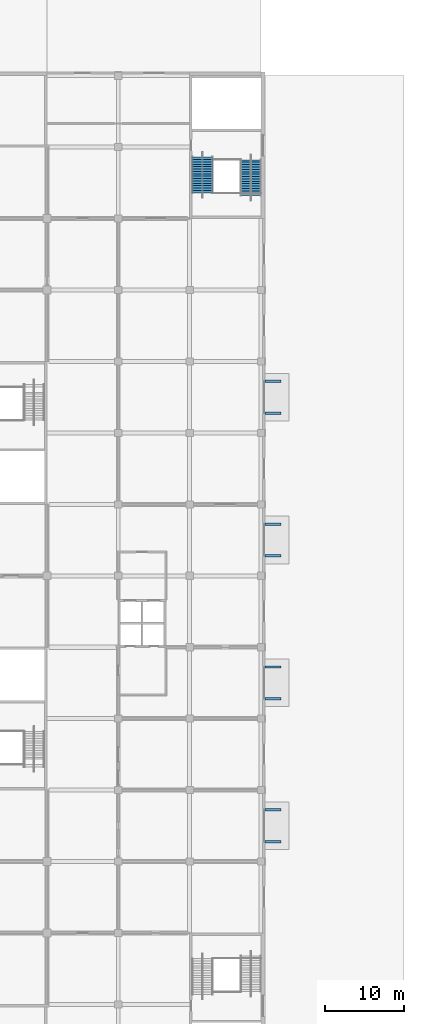
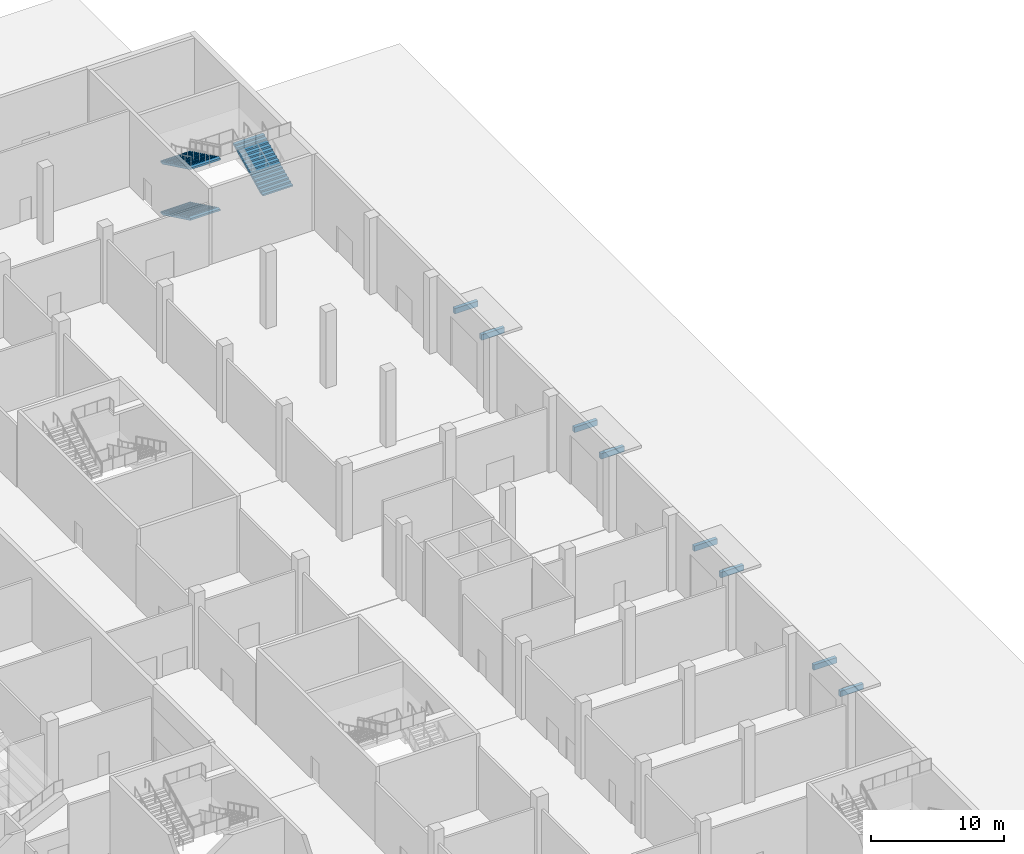
# One storey, part 47 of 92: 8 discrete accessories, 3 stair flights, 1 element without a shape of its own.
"""IFC4 building model written with IfcOpenShell, lengths in metres."""

import ifcopenshell
import ifcopenshell.guid

model = None  # the IFC model being written
_history = None  # IfcOwnerHistory: only IFC2X3 demands one
_inside = {}  # id of a spatial element -> (the spatial element, [elements in it])
_under = {}  # id of a project, library or spatial element -> (it, [spatial elements below it])
_declared = {}  # id of a project -> (the project, [libraries it declares])
_typed = {}  # id of a type object -> (the type object, [elements of that type])
_made_of = {}  # id of a material, layer set ... -> (it, [elements and type objects made of it])


def new_model(schema):
    """Start an empty IFC model of exactly this schema.

    Asked for "IFC4X3", IfcOpenShell would pick the latest addendum, in which some entities
    have other attributes; the version numbers below select the first issue.
    IFC2X3 requires an IfcOwnerHistory on every rooted entity: one is made here for all.
    """
    global model, _history
    if schema == "IFC4X3":
        model = ifcopenshell.file(schema_version=(4, 3, 0, 0))
    else:
        model = ifcopenshell.file(schema=schema)
    _inside.clear()
    _under.clear()
    _declared.clear()
    _typed.clear()
    _made_of.clear()
    _history = None
    if model.schema == "IFC2X3":
        org = make("IfcOrganization", Name="unknown")
        user = make(
            "IfcPersonAndOrganization",
            ThePerson=make("IfcPerson", FamilyName="unknown"),
            TheOrganization=org,
        )
        app = make(
            "IfcApplication",
            ApplicationDeveloper=org,
            Version="unknown",
            ApplicationFullName="unknown",
            ApplicationIdentifier="unknown",
        )
        _history = make(
            "IfcOwnerHistory",
            OwningUser=user,
            OwningApplication=app,
            ChangeAction="ADDED",
            CreationDate=0,
        )
    return model


def make(cls, **values):
    """One entity of the class cls with the attributes given. An attribute that is None is left unset."""
    return model.create_entity(
        cls, **{name: value for name, value in values.items() if value is not None}
    )


def rooted(cls, **values):
    """An entity with a GlobalId (a new one), such as an element, a storey or a relation."""
    return make(cls, GlobalId=ifcopenshell.guid.new(), OwnerHistory=_history, **values)


def si_unit(unit_type, name, prefix=None):
    """IfcSIUnit, for example si_unit("LENGTHUNIT", "METRE", prefix="MILLI")."""
    return make("IfcSIUnit", UnitType=unit_type, Prefix=prefix, Name=name)


def assignment(units):
    """IfcUnitAssignment: the units of a project."""
    return None if units is None else make("IfcUnitAssignment", Units=units)


def point(xyz):
    """IfcCartesianPoint."""
    return None if xyz is None else make("IfcCartesianPoint", Coordinates=xyz)


def direction(xyz):
    """IfcDirection."""
    return None if xyz is None else make("IfcDirection", DirectionRatios=xyz)


def frame(location, z_axis=None, x_axis=None):
    """IfcAxis2Placement3D, a coordinate frame: its origin and axes. An axis left out is left unset."""
    return make(
        "IfcAxis2Placement3D",
        Location=point(location),
        Axis=direction(z_axis),
        RefDirection=direction(x_axis),
    )


def frame_2d(location, x_axis=None):
    """IfcAxis2Placement2D, a coordinate frame in the plane: its origin and x axis."""
    return make(
        "IfcAxis2Placement2D", Location=point(location), RefDirection=direction(x_axis)
    )


def origin():
    """The frame at (0, 0, 0) with its axes left unset."""
    return frame((0.0, 0.0, 0.0))


def origin_2d():
    """The frame at (0, 0) in the plane with its x axis left unset."""
    return frame_2d((0.0, 0.0))


def place(relative_to, where):
    """IfcLocalPlacement: puts the frame where relative to a parent placement (None: the world)."""
    return make(
        "IfcLocalPlacement", PlacementRelTo=relative_to, RelativePlacement=where
    )


def context(
    kind, dimensions, precision=None, world=None, true_north=None, identifier=None
):
    """IfcGeometricRepresentationContext, for example the 3D "Model" context."""
    return make(
        "IfcGeometricRepresentationContext",
        ContextIdentifier=identifier,
        ContextType=kind,
        CoordinateSpaceDimension=dimensions,
        Precision=precision,
        WorldCoordinateSystem=world,
        TrueNorth=true_north,
    )


def subcontext(parent, identifier, kind, view, scale=None):
    """IfcGeometricRepresentationSubContext, for example "Body" below "Model"."""
    return make(
        "IfcGeometricRepresentationSubContext",
        ContextIdentifier=identifier,
        ContextType=kind,
        ParentContext=parent,
        TargetScale=scale,
        TargetView=view,
    )


def project(units=None, contexts=None):
    """IfcProject with its units and contexts."""
    return rooted(
        "IfcProject",
        Name="project",
        RepresentationContexts=contexts,
        UnitsInContext=assignment(units),
    )


def spatial(cls, under=None, at=None, **own):
    """A site, building, storey or space (cls), placed at a placement, below another one or the project."""
    s = rooted(cls, ObjectPlacement=at, **own)
    if under is not None:
        _under.setdefault(under.id(), (under, []))[1].append(s)
    return s


def polyline(points):
    """IfcPolyline through the points."""
    return make("IfcPolyline", Points=[point(p) for p in points])


def profile(cls, at=None, kind="AREA", **sizes):
    """A parametric profile (cls). Its sizes go by their IFC names, for example OverallWidth=200.0."""
    return make(cls, ProfileType=kind, Position=at, **sizes)


def rectangle(**sizes):
    """IfcRectangleProfileDef."""
    return profile("IfcRectangleProfileDef", **sizes)


def outline(outer, holes=None, kind="AREA"):
    """IfcArbitraryClosedProfileDef: a profile drawn as a closed curve; with holes, ...WithVoids."""
    if holes is None:
        return make("IfcArbitraryClosedProfileDef", ProfileType=kind, OuterCurve=outer)
    return make(
        "IfcArbitraryProfileDefWithVoids",
        ProfileType=kind,
        OuterCurve=outer,
        InnerCurves=holes,
    )


def extrude(swept, where, along, depth):
    """IfcExtrudedAreaSolid: the profile swept, set in the frame where, extruded along a direction by depth."""
    return make(
        "IfcExtrudedAreaSolid",
        SweptArea=swept,
        Position=where,
        ExtrudedDirection=direction(along),
        Depth=depth,
    )


def shape(context_of_items, identifier, shape_type, items):
    """IfcShapeRepresentation: the items that make up one representation, for example the "Body"."""
    return make(
        "IfcShapeRepresentation",
        ContextOfItems=context_of_items,
        RepresentationIdentifier=identifier,
        RepresentationType=shape_type,
        Items=items,
    )


def material(Name=None, Category=None):
    """IfcMaterial."""
    return make("IfcMaterial", Name=Name, Category=Category)


def made_of(thing, what):
    """Note that an element or type object is made of a material, layer set ...; save() writes the relation."""
    if what is not None:
        _made_of.setdefault(what.id(), (what, []))[1].append(thing)
    return thing


def type_object(cls, material=None, **own):
    """A type object (cls), such as IfcWallType, which elements share."""
    return made_of(rooted(cls, **own), material)


def element(
    cls,
    number,
    at=None,
    inside=None,
    cuts=None,
    type_object=None,
    material=None,
    context=None,
    identifier="Body",
    shape_type=None,
    held_by="IfcProductDefinitionShape",
    body=None,
    shapes=None,
    **own,
):
    """One element of the class cls, such as IfcWall. Its Tag is "e" and its number.

    at: its placement. inside: the storey or other place that contains it. cuts: it is an
    opening in that element (IfcRelVoidsElement). A single representation is given by context,
    identifier, shape_type and body (its items); several are given by shapes. held_by: the class
    of the entity that holds the representations. save() writes the other relations.
    """
    e = rooted(cls, Tag="e%d" % number, ObjectPlacement=at, **own)
    if body is not None:
        shapes = [shape(context, identifier, shape_type, body)]
    if shapes is not None:
        e.Representation = make(held_by, Representations=shapes)
    if inside is not None:
        _inside.setdefault(inside.id(), (inside, []))[1].append(e)
    if cuts is not None:
        rooted(
            "IfcRelVoidsElement", RelatingBuildingElement=cuts, RelatedOpeningElement=e
        )
    if type_object is not None:
        _typed.setdefault(type_object.id(), (type_object, []))[1].append(e)
    return made_of(e, material)


def aggregate(whole, parts):
    """IfcRelAggregates: a whole, such as a stair, and the parts it consists of."""
    return rooted("IfcRelAggregates", RelatingObject=whole, RelatedObjects=parts)


def save(model, path):
    """Write the relations noted so far, then the file.

    IfcRelAggregates (storeys below a building ...), IfcRelContainedInSpatialStructure (elements
    in a storey), IfcRelDefinesByType, IfcRelAssociatesMaterial and IfcRelDeclares: one each for
    every whole, place, type object, material and project.
    """
    for whole, parts in _under.values():
        aggregate(whole, parts)
    for where, things in _inside.values():
        rooted(
            "IfcRelContainedInSpatialStructure",
            RelatedElements=things,
            RelatingStructure=where,
        )
    for kind, things in _typed.values():
        rooted("IfcRelDefinesByType", RelatedObjects=things, RelatingType=kind)
    for what, things in _made_of.values():
        rooted("IfcRelAssociatesMaterial", RelatedObjects=things, RelatingMaterial=what)
    for by, libraries in _declared.values():
        rooted("IfcRelDeclares", RelatingContext=by, RelatedDefinitions=libraries)
    model.write(path)


model = new_model("IFC4")

# Units and contexts
model_context = context("Model", 3, precision=1e-05, world=origin(), true_north=direction((0.0, 1.0)))
body_context = subcontext(model_context, "Body", "Model", "MODEL_VIEW")
ifc_project = project(units=[si_unit("LENGTHUNIT", "METRE"), si_unit("AREAUNIT", "SQUARE_METRE"), si_unit("VOLUMEUNIT", "CUBIC_METRE"), si_unit("PLANEANGLEUNIT", "RADIAN"), si_unit("MASSUNIT", "GRAM", prefix="KILO")], contexts=[model_context])

# Site, building, storey
site_placement = place(None, origin())
site = spatial("IfcSite", under=ifc_project, at=site_placement, CompositionType="ELEMENT")
building_placement = place(site_placement, origin())
building = spatial("IfcBuilding", under=site, at=building_placement, Name="Silverbay Arena", CompositionType="ELEMENT")
storey_placement = place(building_placement, origin())
storey = spatial("IfcBuildingStorey", under=building, at=storey_placement, Name="L00", CompositionType="ELEMENT", Elevation=0.0)

# Stair, stair flights
ifc_material_1 = material(Name="Concrete Grade C45", Category="concrete")
stair_type = type_object("IfcStairType", Name="Stair 2600 wide 48 risers 145.8 x 300", PredefinedType="HALF_TURN_STAIR", material=ifc_material_1)
stair_placement = place(storey_placement, origin())
stair = element("IfcStair", 1, at=stair_placement, inside=storey, type_object=stair_type, Name="Stair ST-EG2 L00 to L01", PredefinedType="HALF_TURN_STAIR")
ifc_material_2 = material(Name="Concrete Grade C45", Category="concrete")
stair_flight_type = type_object("IfcStairFlightType", Name="Stair flight 2600 wide 16 risers 145.8 x 300", PredefinedType="STRAIGHT", material=ifc_material_2)
stair_flight_1_placement = place(storey_placement, frame((226.60009765625, 133.7431640625, 0.0), z_axis=(0.0, 0.0, 1.0), x_axis=(0.0, -1.0, 0.0)))
stair_flight_1 = element("IfcStairFlight", 2, at=stair_flight_1_placement, type_object=stair_flight_type, Name="Stair ST-EG2 L00 to L01 flight 1", NumberOfRisers=16, NumberOfTreads=15, PredefinedType="STRAIGHT", RiserHeight=0.145833333, TreadLength=0.3, context=body_context, shape_type="SweptSolid", body=[
    extrude(outline(polyline([(0.0, 0.0), (0.0, 0.145751953125), (0.300048828125, 0.145751953125), (0.300048828125, 0.291748046875), (0.60009765625, 0.291748046875), (0.60009765625, 0.4375), (0.89990234375, 0.4375), (0.89990234375, 0.583251953125), (1.199951171875, 0.583251953125), (1.199951171875, 0.729248046875), (1.5, 0.729248046875), (1.5, 0.875), (1.800048828125, 0.875), (1.800048828125, 1.020751953125), (2.10009765625, 1.020751953125), (2.10009765625, 1.166748046875), (2.39990234375, 1.166748046875), (2.39990234375, 1.3125), (2.699951171875, 1.3125), (2.699951171875, 1.458251953125), (3.0, 1.458251953125), (3.0, 1.604248046875), (3.300048828125, 1.604248046875), (3.300048828125, 1.75), (3.60009765625, 1.75), (3.60009765625, 1.895751953125), (3.89990234375, 1.895751953125), (3.89990234375, 2.041748046875), (4.199951171875, 2.041748046875), (4.199951171875, 2.1875), (4.5, 2.1875), (4.5, 2.020751953125), (0.3427734375, 0.0), (0.0, 0.0)])), frame((0.0, 1.300048828125, 0.0), z_axis=(0.0, -1.0, 0.0), x_axis=(1.0, 0.0, 0.0)), (0.0, 0.0, 1.0), 2.60009765625),
])
stair_flight_2_placement = place(storey_placement, frame((232.699951171875, 128.89990234375, 2.333251953125), z_axis=(0.0, 0.0, 1.0), x_axis=(0.0, 1.0, 0.0)))
stair_flight_2 = element("IfcStairFlight", 3, at=stair_flight_2_placement, type_object=stair_flight_type, Name="Stair ST-EG2 L00 to L01 flight 2", NumberOfRisers=16, NumberOfTreads=15, PredefinedType="STRAIGHT", RiserHeight=0.145833333, TreadLength=0.3, context=body_context, shape_type="SweptSolid", body=[
    extrude(outline(polyline([(0.0, 0.0), (0.0, 0.145751953125), (0.300048828125, 0.145751953125), (0.300048828125, 0.291748046875), (0.60009765625, 0.291748046875), (0.60009765625, 0.4375), (0.89990234375, 0.4375), (0.89990234375, 0.583251953125), (1.199951171875, 0.583251953125), (1.199951171875, 0.729248046875), (1.5, 0.729248046875), (1.5, 0.875), (1.800048828125, 0.875), (1.800048828125, 1.020751953125), (2.10009765625, 1.020751953125), (2.10009765625, 1.166748046875), (2.39990234375, 1.166748046875), (2.39990234375, 1.3125), (2.699951171875, 1.3125), (2.699951171875, 1.458251953125), (3.0, 1.458251953125), (3.0, 1.604248046875), (3.300048828125, 1.604248046875), (3.300048828125, 1.75), (3.60009765625, 1.75), (3.60009765625, 1.895751953125), (3.89990234375, 1.895751953125), (3.89990234375, 2.041748046875), (4.199951171875, 2.041748046875), (4.199951171875, 2.1875), (4.5, 2.1875), (4.5, 2.020751953125), (0.3427734375, 0.0), (0.0, 0.0)])), frame((0.0, 1.300048828125, 0.0), z_axis=(0.0, -1.0, 0.0), x_axis=(1.0, 0.0, 0.0)), (0.0, 0.0, 1.0), 2.60009765625),
])
stair_flight_3_placement = place(storey_placement, frame((226.60009765625, 133.7431640625, 4.666748046875), z_axis=(0.0, 0.0, 1.0), x_axis=(0.0, -1.0, 0.0)))
stair_flight_3 = element("IfcStairFlight", 4, at=stair_flight_3_placement, type_object=stair_flight_type, Name="Stair ST-EG2 L00 to L01 flight 3", NumberOfRisers=16, NumberOfTreads=15, PredefinedType="STRAIGHT", RiserHeight=0.145833333, TreadLength=0.3, context=body_context, shape_type="SweptSolid", body=[
    extrude(outline(polyline([(0.0, 0.0), (0.0, 0.145751953125), (0.300048828125, 0.145751953125), (0.300048828125, 0.291748046875), (0.60009765625, 0.291748046875), (0.60009765625, 0.4375), (0.89990234375, 0.4375), (0.89990234375, 0.583251953125), (1.199951171875, 0.583251953125), (1.199951171875, 0.729248046875), (1.5, 0.729248046875), (1.5, 0.875), (1.800048828125, 0.875), (1.800048828125, 1.020751953125), (2.10009765625, 1.020751953125), (2.10009765625, 1.166748046875), (2.39990234375, 1.166748046875), (2.39990234375, 1.3125), (2.699951171875, 1.3125), (2.699951171875, 1.458251953125), (3.0, 1.458251953125), (3.0, 1.604248046875), (3.300048828125, 1.604248046875), (3.300048828125, 1.75), (3.60009765625, 1.75), (3.60009765625, 1.895751953125), (3.89990234375, 1.895751953125), (3.89990234375, 2.041748046875), (4.199951171875, 2.041748046875), (4.199951171875, 2.1875), (4.5, 2.1875), (4.5, 2.020751953125), (0.3427734375, 0.0), (0.0, 0.0)])), frame((0.0, 1.300048828125, 0.0), z_axis=(0.0, -1.0, 0.0), x_axis=(1.0, 0.0, 0.0)), (0.0, 0.0, 1.0), 2.60009765625),
])
aggregate(stair, [stair_flight_1, stair_flight_2, stair_flight_3])

# Discrete accessories
ifc_material_3 = material(Name="Steel S355", Category="steel")
discrete_accessory_type = type_object("IfcDiscreteAccessoryType", Name="Steel bracket plate", PredefinedType="BRACKET", material=ifc_material_3)
for number, where, z_axis, x_axis, name in (
    (5, (235.5, 47.5, 4.699951171875), (0.0, 0.0, 1.0), (0.0, 1.0, 0.0), "Canopy support bracket"),
    (6, (235.5, 51.5, 4.699951171875), (0.0, 0.0, 1.0), (0.0, 1.0, 0.0), "Canopy support bracket"),
    (7, (235.5, 65.5, 4.699951171875), (0.0, 0.0, 1.0), (0.0, 1.0, 0.0), "Canopy support bracket"),
    (8, (235.5, 69.5, 4.699951171875), (0.0, 0.0, 1.0), (0.0, 1.0, 0.0), "Canopy support bracket"),
    (9, (235.5, 83.5, 4.699951171875), (0.0, 0.0, 1.0), (0.0, 1.0, 0.0), "Canopy support bracket"),
    (10, (235.5, 87.5, 4.699951171875), (0.0, 0.0, 1.0), (0.0, 1.0, 0.0), "Canopy support bracket"),
    (11, (235.5, 101.5, 4.699951171875), (0.0, 0.0, 1.0), (0.0, 1.0, 0.0), "Canopy support bracket"),
    (12, (235.5, 105.5, 4.699951171875), (0.0, 0.0, 1.0), (0.0, 1.0, 0.0), "Canopy support bracket"),
):
    element("IfcDiscreteAccessory", number, at=place(storey_placement, frame(where, z_axis=z_axis, x_axis=x_axis)), inside=storey, type_object=discrete_accessory_type, Name=name, PredefinedType="BRACKET", context=body_context, shape_type="SweptSolid", body=[
        extrude(rectangle(XDim=0.300048828125, YDim=2.0, at=origin_2d()), origin(), (0.0, 0.0, 1.0), 0.5),
    ])

save(model, "model.ifc")
